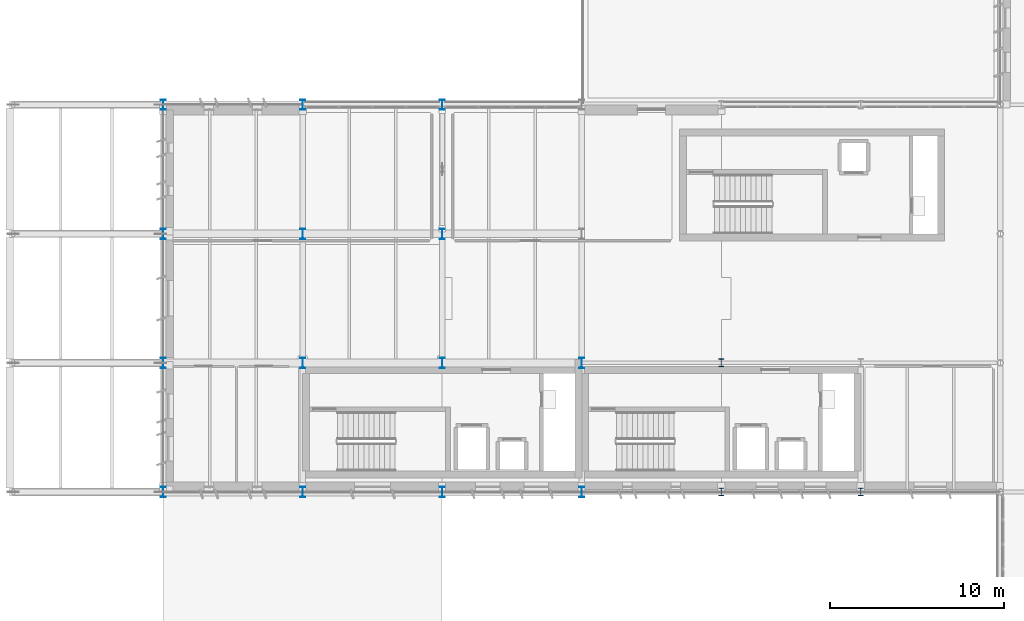
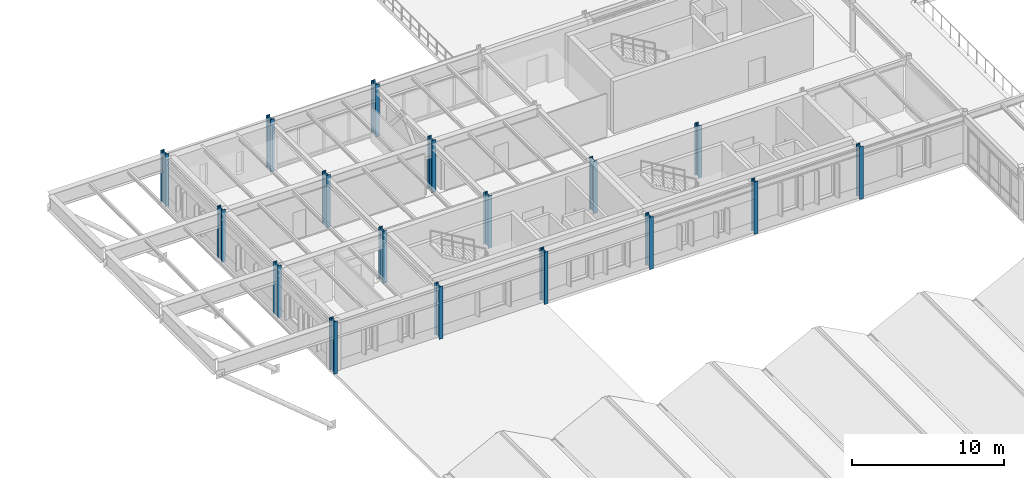
# One storey, part 2 of 63: 17 columns.
"""IFC4 building model written with IfcOpenShell, lengths in metres."""

from ifc_helpers import new_model, si_unit, direction, frame, origin, origin_2d, place, context, subcontext, project, spatial, i_section, extrude, material, material_profile, profile_set, type_object, element, save


model = new_model("IFC4")

# Units and contexts
model_context = context("Model", 3, precision=1e-05, world=origin(), true_north=direction((0.0, 1.0)))
body_context = subcontext(model_context, "Body", "Model", "MODEL_VIEW")
ifc_project = project(units=[si_unit("LENGTHUNIT", "METRE"), si_unit("AREAUNIT", "SQUARE_METRE"), si_unit("VOLUMEUNIT", "CUBIC_METRE"), si_unit("PLANEANGLEUNIT", "RADIAN"), si_unit("MASSUNIT", "GRAM", prefix="KILO")], contexts=[model_context])

# Site, building, storey
site_placement = place(None, origin())
site = spatial("IfcSite", under=ifc_project, at=site_placement, CompositionType="ELEMENT")
building_placement = place(site_placement, origin())
building = spatial("IfcBuilding", under=site, at=building_placement, Name="Valkorina Park Police Headquarters", CompositionType="ELEMENT")
storey_placement = place(building_placement, frame((0.0, 0.0, 9.89990234375)))
storey = spatial("IfcBuildingStorey", under=building, at=storey_placement, Name="L03", CompositionType="ELEMENT", Elevation=9.89990234375)

# Columns
ifc_material = material(Name="Steel S355", Category="steel")
ifc_material_profile_1 = material_profile(ifc_material, i_section(OverallWidth=0.300048828125, OverallDepth=0.449951171875, WebThickness=0.013916015625, FlangeThickness=0.02587890625, FilletRadius=0.027099609375, at=origin_2d()), Name="HEB 450")
ifc_profile_set_1 = profile_set([ifc_material_profile_1], Name="Steel S355")
column_type_1 = type_object("IfcColumnType", Name="COL-S355-HEB450-EXT", PredefinedType="COLUMN", material=ifc_profile_set_1)
for number, where, z_axis, x_axis, name in (
    (1, (40.800048828125, 37.0, 0.0), (0.0, 0.0, 1.0), (1.0, 0.0, 0.0), "L03 Column 0743"),
    (2, (48.800048828125, 37.0, 0.0), (0.0, 0.0, 1.0), (1.0, 0.0, 0.0), "L03 Column 0746"),
):
    element("IfcColumn", number, at=place(storey_placement, frame(where, z_axis=z_axis, x_axis=x_axis)), inside=storey, type_object=column_type_1, Name=name, PredefinedType="COLUMN", context=body_context, shape_type="SweptSolid", body=[
        extrude(i_section(OverallWidth=0.300048828125, OverallDepth=0.449951171875, WebThickness=0.013916015625, FlangeThickness=0.02587890625, FilletRadius=0.027099609375, at=origin_2d()), origin(), (0.0, 0.0, 1.0), 4.2001953125),
    ])
ifc_material_profile_2 = material_profile(ifc_material, i_section(OverallWidth=0.300048828125, OverallDepth=0.449951171875, WebThickness=0.013916015625, FlangeThickness=0.02587890625, FilletRadius=0.027099609375, at=origin_2d()), Name="HEB 450")
ifc_profile_set_2 = profile_set([ifc_material_profile_2], Name="Steel S355")
column_type_2 = type_object("IfcColumnType", Name="COL-S355-HEB450-INT", PredefinedType="COLUMN", material=ifc_profile_set_2)
column_placement = place(storey_placement, frame((40.800048828125, 44.39990234375, 0.0), z_axis=(0.0, 0.0, 1.0), x_axis=(1.0, 0.0, 0.0)))
element("IfcColumn", 3, at=column_placement, inside=storey, type_object=column_type_2, Name="L03 Column 0744", PredefinedType="COLUMN", context=body_context, shape_type="SweptSolid", body=[
    extrude(i_section(OverallWidth=0.300048828125, OverallDepth=0.449951171875, WebThickness=0.013916015625, FlangeThickness=0.02587890625, FilletRadius=0.027099609375, at=origin_2d()), origin(), (0.0, 0.0, 1.0), 4.2001953125),
])
ifc_material_profile_3 = material_profile(ifc_material, i_section(OverallWidth=0.300048828125, OverallDepth=0.60009765625, WebThickness=0.015380859375, FlangeThickness=0.030029296875, FilletRadius=0.027099609375, at=origin_2d()), Name="HEB 600")
ifc_profile_set_3 = profile_set([ifc_material_profile_3], Name="Steel S355")
column_type_3 = type_object("IfcColumnType", Name="COL-S355-HEB600-EXT", PredefinedType="COLUMN", material=ifc_profile_set_3)
for number, where, z_axis, x_axis, name in (
    (4, (8.800048828125, 37.0, 0.0), (0.0, 0.0, 1.0), (1.0, 0.0, 0.0), "L03 Column 0727"),
    (5, (8.800048828125, 44.39990234375, 0.0), (0.0, 0.0, 1.0), (1.0, 0.0, 0.0), "L03 Column 0728"),
    (6, (8.800048828125, 51.800048828125, 0.0), (0.0, 0.0, 1.0), (1.0, 0.0, 0.0), "L03 Column 0729"),
    (7, (8.800048828125, 59.199951171875, 0.0), (0.0, 0.0, 1.0), (1.0, 0.0, 0.0), "L03 Column 0730"),
    (8, (16.800048828125, 37.0, 0.0), (0.0, 0.0, 1.0), (1.0, 0.0, 0.0), "L03 Column 0731"),
    (9, (16.800048828125, 59.199951171875, 0.0), (0.0, 0.0, 1.0), (1.0, 0.0, 0.0), "L03 Column 0734"),
    (10, (24.800048828125, 37.0, 0.0), (0.0, 0.0, 1.0), (1.0, 0.0, 0.0), "L03 Column 0735"),
    (11, (24.800048828125, 59.199951171875, 0.0), (0.0, 0.0, 1.0), (1.0, 0.0, 0.0), "L03 Column 0738"),
    (12, (32.800048828125, 37.0, 0.0), (0.0, 0.0, 1.0), (1.0, 0.0, 0.0), "L03 Column 0739"),
):
    element("IfcColumn", number, at=place(storey_placement, frame(where, z_axis=z_axis, x_axis=x_axis)), inside=storey, type_object=column_type_3, Name=name, PredefinedType="COLUMN", context=body_context, shape_type="SweptSolid", body=[
        extrude(i_section(OverallWidth=0.300048828125, OverallDepth=0.60009765625, WebThickness=0.015380859375, FlangeThickness=0.030029296875, FilletRadius=0.027099609375, at=origin_2d()), origin(), (0.0, 0.0, 1.0), 4.2001953125),
    ])
ifc_material_profile_4 = material_profile(ifc_material, i_section(OverallWidth=0.300048828125, OverallDepth=0.60009765625, WebThickness=0.015380859375, FlangeThickness=0.030029296875, FilletRadius=0.027099609375, at=origin_2d()), Name="HEB 600")
ifc_profile_set_4 = profile_set([ifc_material_profile_4], Name="Steel S355")
column_type_4 = type_object("IfcColumnType", Name="COL-S355-HEB600-INT", PredefinedType="COLUMN", material=ifc_profile_set_4)
for number, where, z_axis, x_axis, name in (
    (13, (16.800048828125, 44.39990234375, 0.0), (0.0, 0.0, 1.0), (1.0, 0.0, 0.0), "L03 Column 0732"),
    (14, (16.800048828125, 51.800048828125, 0.0), (0.0, 0.0, 1.0), (1.0, 0.0, 0.0), "L03 Column 0733"),
    (15, (24.800048828125, 44.39990234375, 0.0), (0.0, 0.0, 1.0), (1.0, 0.0, 0.0), "L03 Column 0736"),
    (16, (24.800048828125, 51.800048828125, 0.0), (0.0, 0.0, 1.0), (1.0, 0.0, 0.0), "L03 Column 0737"),
    (17, (32.800048828125, 44.39990234375, 0.0), (0.0, 0.0, 1.0), (1.0, 0.0, 0.0), "L03 Column 0740"),
):
    element("IfcColumn", number, at=place(storey_placement, frame(where, z_axis=z_axis, x_axis=x_axis)), inside=storey, type_object=column_type_4, Name=name, PredefinedType="COLUMN", context=body_context, shape_type="SweptSolid", body=[
        extrude(i_section(OverallWidth=0.300048828125, OverallDepth=0.60009765625, WebThickness=0.015380859375, FlangeThickness=0.030029296875, FilletRadius=0.027099609375, at=origin_2d()), origin(), (0.0, 0.0, 1.0), 4.2001953125),
    ])

save(model, "model.ifc")
